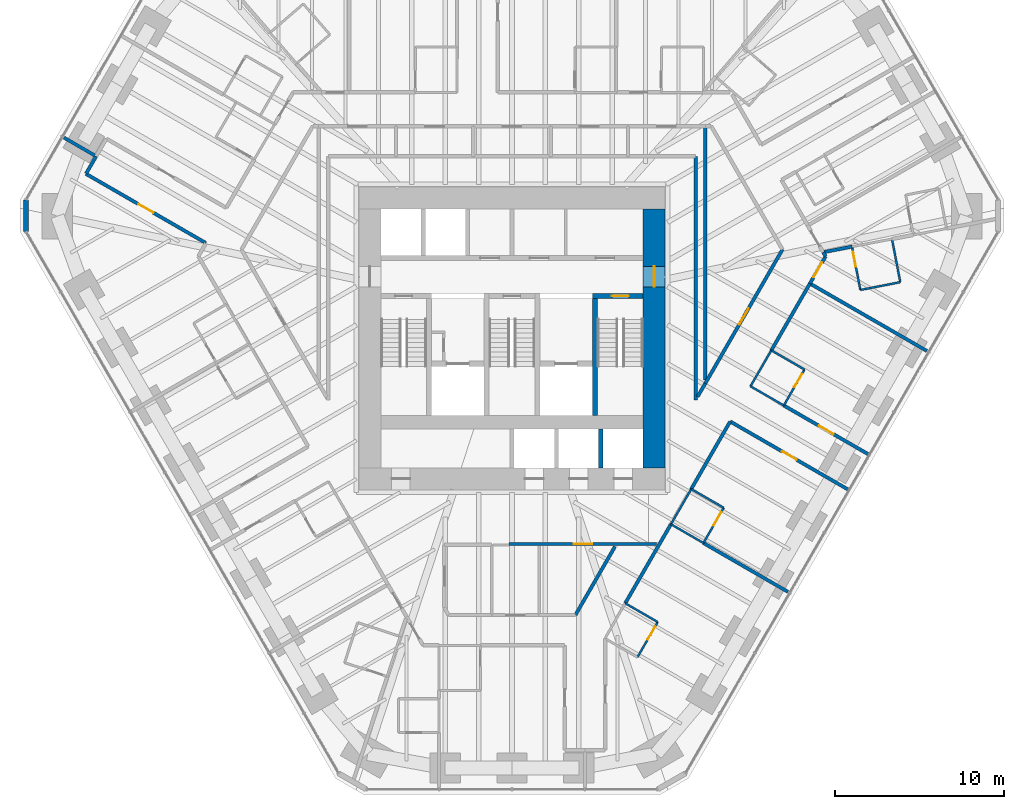
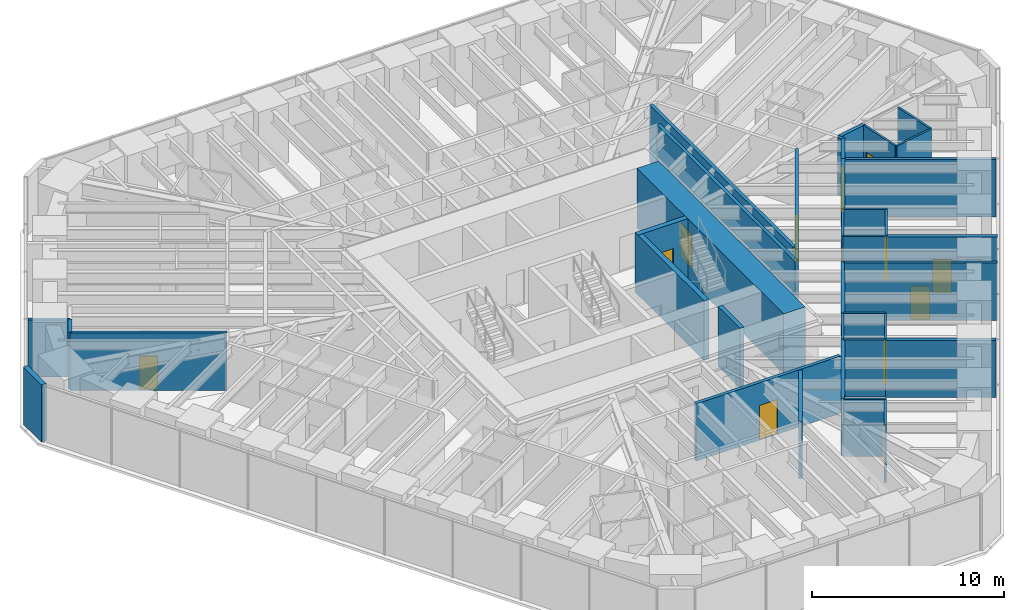
# One storey, part 13 of 17: 37 walls, 12 doors, 12 openings.
"""IFC4 building model written with IfcOpenShell, lengths in metres."""

from ifc_helpers import new_model, si_unit, direction, frame, frame_2d, origin, place, context, subcontext, project, spatial, rectangle, extrude, material, layer, layer_set, type_object, element, fill, save


model = new_model("IFC4")

# Units and contexts
model_context = context("Model", 3, precision=1e-05, world=origin(), true_north=direction((0.0, 1.0)))
body_context = subcontext(model_context, "Body", "Model", "MODEL_VIEW")
ifc_project = project(units=[si_unit("LENGTHUNIT", "METRE"), si_unit("AREAUNIT", "SQUARE_METRE"), si_unit("VOLUMEUNIT", "CUBIC_METRE"), si_unit("PLANEANGLEUNIT", "RADIAN"), si_unit("MASSUNIT", "GRAM", prefix="KILO")], contexts=[model_context])

# Site, building, storey
site_placement = place(None, origin())
site = spatial("IfcSite", under=ifc_project, at=site_placement, CompositionType="ELEMENT")
building_placement = place(site_placement, origin())
building = spatial("IfcBuilding", under=site, at=building_placement, Name="Sandreach Pilgrim Tower", CompositionType="ELEMENT")
storey_placement = place(building_placement, frame((0.0, 0.0, 127.199951171875)))
storey = spatial("IfcBuildingStorey", under=building, at=storey_placement, Name="L31", CompositionType="ELEMENT", Elevation=127.199951171875)

# Wall, opening, door
ifc_material_1 = material(Name="Moisture-resistant gypsum board on steel studs", Category="steel")
ifc_layer_1 = layer(ifc_material_1, 0.1201171875)
ifc_layer_set_1 = layer_set([ifc_layer_1], Name="Bathroom partition 120")
wall_type_1 = type_object("IfcWallType", Name="Bathroom partition 120", PredefinedType="PARTITIONING", material=ifc_layer_set_1)
wall_1_placement = place(storey_placement, frame((7.409912109375, -20.389892578125, 0.0), z_axis=(0.0, 0.0, 1.0), x_axis=(0.499737123639, 0.866177122335, 0.0)))
wall_1 = element("IfcWall", 1, at=wall_1_placement, inside=storey, type_object=wall_type_1, Name="Bathroom partition L31-116", PredefinedType="PARTITIONING", context=body_context, shape_type="SweptSolid", body=[
    extrude(rectangle(XDim=2.401123046875, YDim=0.1201171875, at=frame_2d((1.20068359375, 0.0))), origin(), (0.0, 0.0, 1.0), 3.64013671875),
])
opening_1_placement = place(wall_1_placement, frame((1.201416015625, 0.0, 0.0)))
opening_1 = element("IfcOpeningElement", 2, at=opening_1_placement, cuts=wall_1, Name="Opening D09-11B", PredefinedType="OPENING", context=body_context, shape_type="SweptSolid", body=[
    extrude(rectangle(XDim=0.89990234375, YDim=2.030029296875, at=frame_2d((0.449951171875, 1.01513671875))), frame((0.0, 0.06005859375, 0.0), z_axis=(0.0, -1.0, 0.0), x_axis=(1.0, 0.0, 0.0)), (0.0, 0.0, 1.0), 0.1201171875),
])
ifc_material_2 = material(Name="Timber door, steel frame", Category="steel")
door_type_1 = type_object("IfcDoorType", Name="Bathroom door", OperationType="SINGLE_SWING_LEFT", PredefinedType="DOOR", material=ifc_material_2)
door_1_placement = place(opening_1_placement, origin())
door_1 = element("IfcDoor", 3, at=door_1_placement, inside=storey, type_object=door_type_1, Name="Door 3111B", OperationType="SINGLE_SWING_RIGHT", OverallHeight=2.030029296875, OverallWidth=0.89990234375, PredefinedType="DOOR", context=body_context, shape_type="SweptSolid", body=[
    extrude(rectangle(XDim=0.89990234375, YDim=2.030029296875, at=frame_2d((0.449951171875, 1.01513671875))), frame((0.0, 0.02490234375, 0.0), z_axis=(0.0, -1.0, 0.0), x_axis=(1.0, 0.0, 0.0)), (0.0, 0.0, 1.0), 0.050048828125),
])
fill(opening_1, door_1)

# Walls
wall_2_placement = place(storey_placement, frame((8.610107421875, -18.31005859375, 0.0), z_axis=(0.0, 0.0, 1.0), x_axis=(-0.865732595383, 0.500506816428, 0.0)))
element("IfcWall", 4, at=wall_2_placement, inside=storey, type_object=wall_type_1, Name="Bathroom partition L31-118", PredefinedType="PARTITIONING", context=body_context, shape_type="SweptSolid", body=[
    extrude(rectangle(XDim=2.218017578125, YDim=0.1201171875, at=frame_2d((1.10888671875, 0.0))), origin(), (0.0, 0.0, 1.0), 3.64013671875),
])
wall_3_placement = place(storey_placement, frame((9.389892578125, -12.530029296875, 0.0), z_axis=(0.0, 0.0, 1.0), x_axis=(0.499769390944, 0.866158505053, 0.0)))
element("IfcWall", 5, at=wall_3_placement, inside=storey, type_object=wall_type_1, Name="Bathroom partition L31-121", PredefinedType="PARTITIONING", context=body_context, shape_type="SweptSolid", body=[
    extrude(rectangle(XDim=2.401611328125, YDim=0.1201171875, at=frame_2d((1.20068359375, 0.0))), origin(), (0.0, 0.0, 1.0), 3.64013671875),
])
wall_4_placement = place(storey_placement, frame((9.389892578125, -12.530029296875, 0.0), z_axis=(0.0, 0.0, 1.0), x_axis=(0.865732595383, -0.500506816428, 0.0)))
element("IfcWall", 6, at=wall_4_placement, inside=storey, type_object=wall_type_1, Name="Bathroom partition L31-122", PredefinedType="PARTITIONING", context=body_context, shape_type="SweptSolid", body=[
    extrude(rectangle(XDim=2.218017578125, YDim=0.1201171875, at=frame_2d((1.10888671875, 0.0))), origin(), (0.0, 0.0, 1.0), 3.64013671875),
])

# Wall, opening, door
wall_5_placement = place(storey_placement, frame((11.31005859375, -13.639892578125, 0.0), z_axis=(0.0, 0.0, 1.0), x_axis=(0.499737123639, 0.866177122335, 0.0)))
wall_5 = element("IfcWall", 7, at=wall_5_placement, inside=storey, type_object=wall_type_1, Name="Bathroom partition L31-127", PredefinedType="PARTITIONING", context=body_context, shape_type="SweptSolid", body=[
    extrude(rectangle(XDim=2.401123046875, YDim=0.1201171875, at=frame_2d((1.20068359375, 0.0))), origin(), (0.0, 0.0, 1.0), 3.64013671875),
])
opening_2_placement = place(wall_5_placement, frame((1.201416015625, 0.0, 0.0)))
opening_2 = element("IfcOpeningElement", 8, at=opening_2_placement, cuts=wall_5, Name="Opening D09-10B", PredefinedType="OPENING", context=body_context, shape_type="SweptSolid", body=[
    extrude(rectangle(XDim=0.89990234375, YDim=2.030029296875, at=frame_2d((0.449951171875, 1.01513671875))), frame((0.0, 0.06005859375, 0.0), z_axis=(0.0, -1.0, 0.0), x_axis=(1.0, 0.0, 0.0)), (0.0, 0.0, 1.0), 0.1201171875),
])
door_2_placement = place(opening_2_placement, origin())
door_2 = element("IfcDoor", 9, at=door_2_placement, inside=storey, type_object=door_type_1, Name="Door 3110B", OperationType="SINGLE_SWING_RIGHT", OverallHeight=2.030029296875, OverallWidth=0.89990234375, PredefinedType="DOOR", context=body_context, shape_type="SweptSolid", body=[
    extrude(rectangle(XDim=0.89990234375, YDim=2.030029296875, at=frame_2d((0.449951171875, 1.01513671875))), frame((0.0, 0.02490234375, 0.0), z_axis=(0.0, -1.0, 0.0), x_axis=(1.0, 0.0, 0.0)), (0.0, 0.0, 1.0), 0.050048828125),
])
fill(opening_2, door_2)

# Walls
wall_6_placement = place(storey_placement, frame((12.510009765625, -11.56005859375, 0.0), z_axis=(0.0, 0.0, 1.0), x_axis=(-0.865705017107, 0.500554515868, 0.0)))
element("IfcWall", 10, at=wall_6_placement, inside=storey, type_object=wall_type_1, Name="Bathroom partition L31-139", PredefinedType="PARTITIONING", context=body_context, shape_type="SweptSolid", body=[
    extrude(rectangle(XDim=2.2177734375, YDim=0.1201171875, at=frame_2d((1.10888671875, 0.0))), origin(), (0.0, 0.0, 1.0), 3.64013671875),
])
wall_7_placement = place(storey_placement, frame((14.090087890625, -4.3798828125, 0.0), z_axis=(0.0, 0.0, 1.0), x_axis=(0.501856726365, 0.86495076519, 0.0)))
element("IfcWall", 11, at=wall_7_placement, inside=storey, type_object=wall_type_1, Name="Bathroom partition L31-145", PredefinedType="PARTITIONING", context=body_context, shape_type="SweptSolid", body=[
    extrude(rectangle(XDim=2.450927734375, YDim=0.1201171875, at=frame_2d((1.2255859375, 0.0))), origin(), (0.0, 0.0, 1.0), 3.64013671875),
])
wall_8_placement = place(storey_placement, frame((14.090087890625, -4.3798828125, 0.0), z_axis=(0.0, 0.0, 1.0), x_axis=(0.866151579213, -0.499781394038, 0.0)))
element("IfcWall", 12, at=wall_8_placement, inside=storey, type_object=wall_type_1, Name="Bathroom partition L31-146", PredefinedType="PARTITIONING", context=body_context, shape_type="SweptSolid", body=[
    extrude(rectangle(XDim=2.27099609375, YDim=0.1201171875, at=frame_2d((1.135498046875, 0.0))), origin(), (0.0, 0.0, 1.0), 3.64013671875),
])

# Wall, opening, door
wall_9_placement = place(storey_placement, frame((16.06005859375, -5.510009765625, 0.0), z_axis=(0.0, 0.0, 1.0), x_axis=(0.498748634132, 0.866746675766, 0.0)))
wall_9 = element("IfcWall", 13, at=wall_9_placement, inside=storey, type_object=wall_type_1, Name="Bathroom partition L31-153", PredefinedType="PARTITIONING", context=body_context, shape_type="SweptSolid", body=[
    extrude(rectangle(XDim=2.446044921875, YDim=0.1201171875, at=frame_2d((1.22314453125, 0.0))), origin(), (0.0, 0.0, 1.0), 3.64013671875),
])
opening_3_placement = place(wall_9_placement, frame((1.24609375, 0.0, 0.0)))
opening_3 = element("IfcOpeningElement", 14, at=opening_3_placement, cuts=wall_9, Name="Opening D09-09B", PredefinedType="OPENING", context=body_context, shape_type="SweptSolid", body=[
    extrude(rectangle(XDim=0.89990234375, YDim=2.030029296875, at=frame_2d((0.449951171875, 1.01513671875))), frame((0.0, 0.06005859375, 0.0), z_axis=(0.0, -1.0, 0.0), x_axis=(1.0, 0.0, 0.0)), (0.0, 0.0, 1.0), 0.1201171875),
])
door_3_placement = place(opening_3_placement, origin())
door_3 = element("IfcDoor", 15, at=door_3_placement, inside=storey, type_object=door_type_1, Name="Door 3109B", OperationType="SINGLE_SWING_RIGHT", OverallHeight=2.030029296875, OverallWidth=0.89990234375, PredefinedType="DOOR", context=body_context, shape_type="SweptSolid", body=[
    extrude(rectangle(XDim=0.89990234375, YDim=2.030029296875, at=frame_2d((0.449951171875, 1.01513671875))), frame((0.0, 0.02490234375, 0.0), z_axis=(0.0, -1.0, 0.0), x_axis=(1.0, 0.0, 0.0)), (0.0, 0.0, 1.0), 0.050048828125),
])
fill(opening_3, door_3)

# Wall
wall_10_placement = place(storey_placement, frame((17.280029296875, -3.389892578125, 0.0), z_axis=(0.0, 0.0, 1.0), x_axis=(-0.86635082644, 0.49943592735, 0.0)))
element("IfcWall", 16, at=wall_10_placement, inside=storey, type_object=wall_type_1, Name="Bathroom partition L31-156", PredefinedType="PARTITIONING", context=body_context, shape_type="SweptSolid", body=[
    extrude(rectangle(XDim=2.26220703125, YDim=0.1201171875, at=frame_2d((1.131103515625, 0.0))), origin(), (0.0, 0.0, 1.0), 3.64013671875),
])

# Wall, opening, door
wall_11_placement = place(storey_placement, frame((20.090087890625, 3.8701171875, 0.0), z_axis=(0.0, 0.0, 1.0), x_axis=(0.187985762814, -0.982171753299, 0.0)))
wall_11 = element("IfcWall", 17, at=wall_11_placement, inside=storey, type_object=wall_type_1, Name="Bathroom partition L31-164", PredefinedType="PARTITIONING", context=body_context, shape_type="SweptSolid", body=[
    extrude(rectangle(XDim=2.6064453125, YDim=0.1201171875, at=frame_2d((1.30322265625, 0.0))), origin(), (0.0, 0.0, 1.0), 3.64013671875),
])
opening_4_placement = place(wall_11_placement, frame((0.300048828125, 0.0, 0.0)))
opening_4 = element("IfcOpeningElement", 18, at=opening_4_placement, cuts=wall_11, Name="Opening D09-08B", PredefinedType="OPENING", context=body_context, shape_type="SweptSolid", body=[
    extrude(rectangle(XDim=0.89990234375, YDim=2.030029296875, at=frame_2d((0.449951171875, 1.01513671875))), frame((0.0, 0.06005859375, 0.0), z_axis=(0.0, -1.0, 0.0), x_axis=(1.0, 0.0, 0.0)), (0.0, 0.0, 1.0), 0.1201171875),
])
door_4_placement = place(opening_4_placement, origin())
door_4 = element("IfcDoor", 19, at=door_4_placement, inside=storey, type_object=door_type_1, Name="Door 3108B", OperationType="SINGLE_SWING_LEFT", OverallHeight=2.030029296875, OverallWidth=0.89990234375, PredefinedType="DOOR", context=body_context, shape_type="SweptSolid", body=[
    extrude(rectangle(XDim=0.89990234375, YDim=2.030029296875, at=frame_2d((0.449951171875, 1.01513671875))), frame((0.0, 0.02490234375, 0.0), z_axis=(0.0, -1.0, 0.0), x_axis=(1.0, 0.0, 0.0)), (0.0, 0.0, 1.0), 0.050048828125),
])
fill(opening_4, door_4)

# Walls
wall_12_placement = place(storey_placement, frame((20.580078125, 1.31005859375, 0.0), z_axis=(0.0, 0.0, 1.0), x_axis=(0.981529676402, 0.191309943135, 0.0)))
element("IfcWall", 20, at=wall_12_placement, inside=storey, type_object=wall_type_1, Name="Bathroom partition L31-166", PredefinedType="PARTITIONING", context=body_context, shape_type="SweptSolid", body=[
    extrude(rectangle(XDim=2.404296875, YDim=0.1201171875, at=frame_2d((1.2021484375, 0.0))), origin(), (0.0, 0.0, 1.0), 3.64013671875),
])
wall_13_placement = place(storey_placement, frame((22.93994140625, 1.77001953125, 0.0), z_axis=(0.0, 0.0, 1.0), x_axis=(-0.188697442844, 0.982035271802, 0.0)))
element("IfcWall", 21, at=wall_13_placement, inside=storey, type_object=wall_type_1, Name="Bathroom partition L31-168", PredefinedType="PARTITIONING", context=body_context, shape_type="SweptSolid", body=[
    extrude(rectangle(XDim=2.5966796875, YDim=0.1201171875, at=frame_2d((1.29833984375, 0.0))), origin(), (0.0, 0.0, 1.0), 3.64013671875),
])
ifc_material_3 = material(Name="Concrete 10000 psi", Category="concrete")
ifc_layer_2 = layer(ifc_material_3, 0.300048828125)
ifc_layer_set_2 = layer_set([ifc_layer_2], Name="Core inner wall 300")
wall_type_2 = type_object("IfcWallType", Name="Core inner wall 300", PredefinedType="SHEAR", material=ifc_layer_set_2)
wall_14_placement = place(storey_placement, frame((4.89990234375, -6.10009765625, 0.0), z_axis=(0.0, 0.0, 1.0), x_axis=(0.0, 1.0, 0.0)))
element("IfcWall", 22, at=wall_14_placement, inside=storey, type_object=wall_type_2, Name="Core wall I3 L31", PredefinedType="SHEAR", context=body_context, shape_type="SweptSolid", body=[
    extrude(rectangle(XDim=7.2001953125, YDim=0.300048828125, at=frame_2d((3.60009765625, 0.0))), origin(), (0.0, 0.0, 1.0), 3.800048828125),
])

# Wall, opening, door
wall_15_placement = place(storey_placement, frame((4.75, 0.949951171875, 0.0), z_axis=(0.0, 0.0, 1.0), x_axis=(1.0, 0.0, 0.0)))
wall_15 = element("IfcWall", 23, at=wall_15_placement, inside=storey, type_object=wall_type_2, Name="Core wall SN2 L31", PredefinedType="SHEAR", context=body_context, shape_type="SweptSolid", body=[
    extrude(rectangle(XDim=3.0, YDim=0.300048828125, at=frame_2d((1.5, 0.0))), origin(), (0.0, 0.0, 1.0), 3.800048828125),
])
opening_5_placement = place(wall_15_placement, frame((1.14990234375, 0.0, 0.0)))
opening_5 = element("IfcOpeningElement", 24, at=opening_5_placement, cuts=wall_15, Name="Opening D10S-ST2", PredefinedType="OPENING", context=body_context, shape_type="SweptSolid", body=[
    extrude(rectangle(XDim=1.0, YDim=2.199951171875, at=frame_2d((0.5, 1.10009765625))), frame((0.0, 0.14990234375, 0.0), z_axis=(0.0, -1.0, 0.0), x_axis=(1.0, 0.0, 0.0)), (0.0, 0.0, 1.0), 0.300048828125),
])
ifc_material_4 = material(Name="Steel door and frame", Category="steel")
door_type_2 = type_object("IfcDoorType", Name="Stair door", OperationType="SINGLE_SWING_LEFT", PredefinedType="DOOR", material=ifc_material_4)
door_5_placement = place(opening_5_placement, origin())
door_5 = element("IfcDoor", 25, at=door_5_placement, inside=storey, type_object=door_type_2, Name="Stair door ST2 L31", OperationType="SINGLE_SWING_RIGHT", OverallHeight=2.199951171875, OverallWidth=1.0, PredefinedType="DOOR", context=body_context, shape_type="SweptSolid", body=[
    extrude(rectangle(XDim=1.0, YDim=2.199951171875, at=frame_2d((0.5, 1.10009765625))), frame((0.0, 0.02490234375, 0.0), z_axis=(0.0, -1.0, 0.0), x_axis=(1.0, 0.0, 0.0)), (0.0, 0.0, 1.0), 0.050048828125),
])
fill(opening_5, door_5)

ifc_material_5 = material(Name="Concrete 10000 psi", Category="concrete")
ifc_layer_3 = layer(ifc_material_5, 1.300048828125)
ifc_layer_set_3 = layer_set([ifc_layer_3], Name="Core wall 1300")
wall_type_3 = type_object("IfcWallType", Name="Core wall 1300", PredefinedType="SHEAR", material=ifc_layer_set_3)
wall_16_placement = place(storey_placement, frame((8.39990234375, -9.199951171875, 0.0), z_axis=(0.0, 0.0, 1.0), x_axis=(0.0, 1.0, 0.0)))
wall_16 = element("IfcWall", 26, at=wall_16_placement, inside=storey, type_object=wall_type_3, Name="Core wall E L31", PredefinedType="SHEAR", context=body_context, shape_type="SweptSolid", body=[
    extrude(rectangle(XDim=15.300048828125, YDim=1.300048828125, at=frame_2d((7.64990234375, 0.0))), origin(), (0.0, 0.0, 1.0), 3.800048828125),
])
opening_6_placement = place(wall_16_placement, frame((10.699951171875, 0.0, 0.0)))
opening_6 = element("IfcOpeningElement", 27, at=opening_6_placement, cuts=wall_16, Name="Opening D12F-E", PredefinedType="OPENING", context=body_context, shape_type="SweptSolid", body=[
    extrude(rectangle(XDim=1.199951171875, YDim=2.199951171875, at=frame_2d((0.60009765625, 1.10009765625))), frame((0.0, 0.64990234375, 0.0), z_axis=(0.0, -1.0, 0.0), x_axis=(1.0, 0.0, 0.0)), (0.0, 0.0, 1.0), 1.300048828125),
])
ifc_material_6 = material(Name="Steel door and frame", Category="steel")
door_type_3 = type_object("IfcDoorType", Name="Fire lobby door", OperationType="SINGLE_SWING_LEFT", PredefinedType="DOOR", material=ifc_material_6)
door_6_placement = place(opening_6_placement, origin())
door_6 = element("IfcDoor", 28, at=door_6_placement, inside=storey, type_object=door_type_3, Name="Fire service lobby door E L31", OperationType="SINGLE_SWING_RIGHT", OverallHeight=2.199951171875, OverallWidth=1.199951171875, PredefinedType="DOOR", context=body_context, shape_type="SweptSolid", body=[
    extrude(rectangle(XDim=1.199951171875, YDim=2.199951171875, at=frame_2d((0.60009765625, 1.10009765625))), frame((0.0, 0.02490234375, 0.0), z_axis=(0.0, -1.0, 0.0), x_axis=(1.0, 0.0, 0.0)), (0.0, 0.0, 1.0), 0.050048828125),
])
fill(opening_6, door_6)

ifc_material_7 = material(Name="Gypsum board on steel studs, two layers each side", Category="steel")
ifc_layer_4 = layer(ifc_material_7, 0.199951171875)
ifc_layer_set_4 = layer_set([ifc_layer_4], Name="Corridor wall 200")
wall_type_4 = type_object("IfcWallType", Name="Corridor wall 200", PredefinedType="PARTITIONING", material=ifc_layer_set_4)
wall_17_placement = place(storey_placement, frame((-25.169921875, 8.169921875, 0.0), z_axis=(0.0, 0.0, 1.0), x_axis=(0.866209421097, -0.499681137129, 0.0)))
wall_17 = element("IfcWall", 29, at=wall_17_placement, inside=storey, type_object=wall_type_4, Name="Corridor wall L31-002", PredefinedType="PARTITIONING", context=body_context, shape_type="SweptSolid", body=[
    extrude(rectangle(XDim=8.184814453125, YDim=0.199951171875, at=frame_2d((4.09228515625, 0.0))), origin(), (0.0, 0.0, 1.0), 3.64013671875),
])
opening_7_placement = place(wall_17_placement, frame((3.592529296875, 0.0, 0.0)))
opening_7 = element("IfcOpeningElement", 30, at=opening_7_placement, cuts=wall_17, Name="Opening D10-17", PredefinedType="OPENING", context=body_context, shape_type="SweptSolid", body=[
    extrude(rectangle(XDim=1.0, YDim=2.1298828125, at=frame_2d((0.5, 1.06494140625))), frame((0.0, 0.10009765625, 0.0), z_axis=(0.0, -1.0, 0.0), x_axis=(1.0, 0.0, 0.0)), (0.0, 0.0, 1.0), 0.199951171875),
])
ifc_material_8 = material(Name="Steel door and frame", Category="steel")
door_type_4 = type_object("IfcDoorType", Name="Guest room entry door", OperationType="SINGLE_SWING_LEFT", PredefinedType="DOOR", material=ifc_material_8)
door_7_placement = place(opening_7_placement, origin())
door_7 = element("IfcDoor", 31, at=door_7_placement, inside=storey, type_object=door_type_4, Name="Door 3117", OperationType="SINGLE_SWING_LEFT", OverallHeight=2.1298828125, OverallWidth=1.0, PredefinedType="DOOR", context=body_context, shape_type="SweptSolid", body=[
    extrude(rectangle(XDim=1.0, YDim=2.1298828125, at=frame_2d((0.5, 1.06494140625))), frame((0.0, 0.02490234375, 0.0), z_axis=(0.0, -1.0, 0.0), x_axis=(1.0, 0.0, 0.0)), (0.0, 0.0, 1.0), 0.050048828125),
])
fill(opening_7, door_7)

# Walls
wall_18_placement = place(storey_placement, frame((-25.16259765625, 8.18310546875, 0.0), z_axis=(0.0, 0.0, 1.0), x_axis=(0.499793761865, 0.866144442689, 0.0)))
element("IfcWall", 32, at=wall_18_placement, inside=storey, type_object=wall_type_4, Name="Corridor wall L31-003", PredefinedType="PARTITIONING", context=body_context, shape_type="SweptSolid", body=[
    extrude(rectangle(XDim=1.185546875, YDim=0.199951171875, at=frame_2d((0.5927734375, 0.0))), origin(), (0.0, 0.0, 1.0), 3.64013671875),
])
wall_19_placement = place(storey_placement, frame((6.08251953125, -13.849609375, 0.0), z_axis=(0.0, 0.0, 1.0), x_axis=(-0.499977643516, -0.866038310922, 0.0)))
element("IfcWall", 33, at=wall_19_placement, inside=storey, type_object=wall_type_4, Name="Corridor wall L31-107", PredefinedType="PARTITIONING", context=body_context, shape_type="SweptSolid", body=[
    extrude(rectangle(XDim=4.665283203125, YDim=0.199951171875, at=frame_2d((2.33251953125, 0.0))), origin(), (0.0, 0.0, 1.0), 3.64013671875),
])
wall_20_placement = place(storey_placement, frame((6.68994140625, -17.199951171875, 0.0), z_axis=(0.0, 0.0, 1.0), x_axis=(0.500524150216, 0.865722573952, 0.0)))
element("IfcWall", 34, at=wall_20_placement, inside=storey, type_object=wall_type_4, Name="Corridor wall L31-112", PredefinedType="PARTITIONING", context=body_context, shape_type="SweptSolid", body=[
    extrude(rectangle(XDim=5.394287109375, YDim=0.199951171875, at=frame_2d((2.697265625, 0.0))), origin(), (0.0, 0.0, 1.0), 3.64013671875),
])

# Wall, opening, door
wall_21_placement = place(storey_placement, frame((8.5380859375, -13.699951171875, 0.0), z_axis=(0.0, 0.0, 1.0), x_axis=(-1.0, 0.0, 0.0)))
wall_21 = element("IfcWall", 35, at=wall_21_placement, inside=storey, type_object=wall_type_4, Name="Corridor wall L31-117", PredefinedType="PARTITIONING", context=body_context, shape_type="SweptSolid", body=[
    extrude(rectangle(XDim=8.7080078125, YDim=0.199951171875, at=frame_2d((4.35400390625, 0.0))), origin(), (0.0, 0.0, 1.0), 3.64013671875),
])
opening_8_placement = place(wall_21_placement, frame((3.80419921875, 0.0, 0.0)))
opening_8 = element("IfcOpeningElement", 36, at=opening_8_placement, cuts=wall_21, Name="Opening D11H-S4", PredefinedType="OPENING", context=body_context, shape_type="SweptSolid", body=[
    extrude(rectangle(XDim=1.10009765625, YDim=2.199951171875, at=frame_2d((0.550048828125, 1.10009765625))), frame((0.0, 0.10009765625, 0.0), z_axis=(0.0, -1.0, 0.0), x_axis=(1.0, 0.0, 0.0)), (0.0, 0.0, 1.0), 0.199951171875),
])
ifc_material_9 = material(Name="Steel door and frame", Category="steel")
door_type_5 = type_object("IfcDoorType", Name="Back of house door", OperationType="SINGLE_SWING_LEFT", PredefinedType="DOOR", material=ifc_material_9)
door_8_placement = place(opening_8_placement, origin())
door_8 = element("IfcDoor", 37, at=door_8_placement, inside=storey, type_object=door_type_5, Name="Door 31S4", OperationType="SINGLE_SWING_LEFT", OverallHeight=2.199951171875, OverallWidth=1.10009765625, PredefinedType="DOOR", context=body_context, shape_type="SweptSolid", body=[
    extrude(rectangle(XDim=1.10009765625, YDim=2.199951171875, at=frame_2d((0.550048828125, 1.10009765625))), frame((0.0, 0.02490234375, 0.0), z_axis=(0.0, -1.0, 0.0), x_axis=(1.0, 0.0, 0.0)), (0.0, 0.0, 1.0), 0.050048828125),
])
fill(opening_8, door_8)

# Walls
wall_22_placement = place(storey_placement, frame((10.590087890625, -10.449951171875, 0.0), z_axis=(0.0, 0.0, 1.0), x_axis=(0.499408130876, 0.866366850021, 0.0)))
element("IfcWall", 38, at=wall_22_placement, inside=storey, type_object=wall_type_4, Name="Corridor wall L31-123", PredefinedType="PARTITIONING", context=body_context, shape_type="SweptSolid", body=[
    extrude(rectangle(XDim=4.59521484375, YDim=0.199951171875, at=frame_2d((2.297607421875, 0.0))), origin(), (0.0, 0.0, 1.0), 3.64013671875),
])
wall_23_placement = place(storey_placement, frame((10.85009765625, -5.18994140625, 0.0), z_axis=(0.0, 0.0, 1.0), x_axis=(0.0, 1.0, 0.0)))
element("IfcWall", 39, at=wall_23_placement, inside=storey, type_object=wall_type_4, Name="Corridor wall L31-125", PredefinedType="PARTITIONING", context=body_context, shape_type="SweptSolid", body=[
    extrude(rectangle(XDim=14.389892578125, YDim=0.199951171875, at=frame_2d((7.19482421875, 0.0))), origin(), (0.0, 0.0, 1.0), 3.64013671875),
])
wall_24_placement = place(storey_placement, frame((11.419921875, -4.2099609375, 0.0), z_axis=(0.0, 0.0, 1.0), x_axis=(-0.502657614045, -0.8644855829, 0.0)))
element("IfcWall", 40, at=wall_24_placement, inside=storey, type_object=wall_type_4, Name="Corridor wall L31-132", PredefinedType="PARTITIONING", context=body_context, shape_type="SweptSolid", body=[
    extrude(rectangle(XDim=0.91357421875, YDim=0.199951171875, at=frame_2d((0.456787109375, 0.0))), origin(), (0.0, 0.0, 1.0), 3.64013671875),
])

# Wall, opening, door
wall_25_placement = place(storey_placement, frame((12.889892578125, -6.4599609375, 0.0), z_axis=(0.0, 0.0, 1.0), x_axis=(0.866181559118, -0.499729433437, 0.0)))
wall_25 = element("IfcWall", 41, at=wall_25_placement, inside=storey, type_object=wall_type_4, Name="Corridor wall L31-141", PredefinedType="PARTITIONING", context=body_context, shape_type="SweptSolid", body=[
    extrude(rectangle(XDim=8.07470703125, YDim=0.199951171875, at=frame_2d((4.037353515625, 0.0))), origin(), (0.0, 0.0, 1.0), 3.64013671875),
])
opening_9_placement = place(wall_25_placement, frame((3.537353515625, 0.0, 0.0)))
opening_9 = element("IfcOpeningElement", 42, at=opening_9_placement, cuts=wall_25, Name="Opening D10-10", PredefinedType="OPENING", context=body_context, shape_type="SweptSolid", body=[
    extrude(rectangle(XDim=1.0, YDim=2.1298828125, at=frame_2d((0.5, 1.06494140625))), frame((0.0, 0.10009765625, 0.0), z_axis=(0.0, -1.0, 0.0), x_axis=(1.0, 0.0, 0.0)), (0.0, 0.0, 1.0), 0.199951171875),
])
door_9_placement = place(opening_9_placement, origin())
door_9 = element("IfcDoor", 43, at=door_9_placement, inside=storey, type_object=door_type_4, Name="Door 3110", OperationType="SINGLE_SWING_LEFT", OverallHeight=2.1298828125, OverallWidth=1.0, PredefinedType="DOOR", context=body_context, shape_type="SweptSolid", body=[
    extrude(rectangle(XDim=1.0, YDim=2.1298828125, at=frame_2d((0.5, 1.06494140625))), frame((0.0, 0.02490234375, 0.0), z_axis=(0.0, -1.0, 0.0), x_axis=(1.0, 0.0, 0.0)), (0.0, 0.0, 1.0), 0.050048828125),
])
fill(opening_9, door_9)

# Wall
wall_26_placement = place(storey_placement, frame((15.320068359375, -2.260009765625, 0.0), z_axis=(0.0, 0.0, 1.0), x_axis=(0.499921709333, 0.866070600204, 0.0)))
element("IfcWall", 44, at=wall_26_placement, inside=storey, type_object=wall_type_4, Name="Corridor wall L31-147", PredefinedType="PARTITIONING", context=body_context, shape_type="SweptSolid", body=[
    extrude(rectangle(XDim=4.560791015625, YDim=0.199951171875, at=frame_2d((2.2802734375, 0.0))), origin(), (0.0, 0.0, 1.0), 3.64013671875),
])

# Wall, opening, door
wall_27_placement = place(storey_placement, frame((15.97998046875, 3.699951171875, 0.0), z_axis=(0.0, 0.0, 1.0), x_axis=(-0.499446957289, -0.866344467781, 0.0)))
wall_27 = element("IfcWall", 45, at=wall_27_placement, inside=storey, type_object=wall_type_4, Name="Corridor wall L31-151", PredefinedType="PARTITIONING", context=body_context, shape_type="SweptSolid", body=[
    extrude(rectangle(XDim=9.130126953125, YDim=0.199951171875, at=frame_2d((4.56494140625, 0.0))), origin(), (0.0, 0.0, 1.0), 3.64013671875),
])
opening_10_placement = place(wall_27_placement, frame((4.01513671875, 0.0, 0.0)))
opening_10 = element("IfcOpeningElement", 46, at=opening_10_placement, cuts=wall_27, Name="Opening D11H-M07", PredefinedType="OPENING", context=body_context, shape_type="SweptSolid", body=[
    extrude(rectangle(XDim=1.10009765625, YDim=2.199951171875, at=frame_2d((0.550048828125, 1.10009765625))), frame((0.0, 0.10009765625, 0.0), z_axis=(0.0, -1.0, 0.0), x_axis=(1.0, 0.0, 0.0)), (0.0, 0.0, 1.0), 0.199951171875),
])
door_10_placement = place(opening_10_placement, origin())
door_10 = element("IfcDoor", 47, at=door_10_placement, inside=storey, type_object=door_type_5, Name="Door 31M07", OperationType="SINGLE_SWING_LEFT", OverallHeight=2.199951171875, OverallWidth=1.10009765625, PredefinedType="DOOR", context=body_context, shape_type="SweptSolid", body=[
    extrude(rectangle(XDim=1.10009765625, YDim=2.199951171875, at=frame_2d((0.550048828125, 1.10009765625))), frame((0.0, 0.02490234375, 0.0), z_axis=(0.0, -1.0, 0.0), x_axis=(1.0, 0.0, 0.0)), (0.0, 0.0, 1.0), 0.050048828125),
])
fill(opening_10, door_10)

wall_28_placement = place(storey_placement, frame((16.05712890625, -5.514892578125, 0.0), z_axis=(0.0, 0.0, 1.0), x_axis=(0.866182784606, -0.499727309292, 0.0)))
wall_28 = element("IfcWall", 48, at=wall_28_placement, inside=storey, type_object=wall_type_4, Name="Corridor wall L31-152", PredefinedType="PARTITIONING", context=body_context, shape_type="SweptSolid", body=[
    extrude(rectangle(XDim=5.803466796875, YDim=0.199951171875, at=frame_2d((2.90185546875, 0.0))), origin(), (0.0, 0.0, 1.0), 3.64013671875),
])
opening_11_placement = place(wall_28_placement, frame((2.401611328125, 0.0, 0.0)))
opening_11 = element("IfcOpeningElement", 49, at=opening_11_placement, cuts=wall_28, Name="Opening D10-09", PredefinedType="OPENING", context=body_context, shape_type="SweptSolid", body=[
    extrude(rectangle(XDim=1.0, YDim=2.1298828125, at=frame_2d((0.5, 1.06494140625))), frame((0.0, 0.10009765625, 0.0), z_axis=(0.0, -1.0, 0.0), x_axis=(1.0, 0.0, 0.0)), (0.0, 0.0, 1.0), 0.199951171875),
])
door_11_placement = place(opening_11_placement, origin())
door_11 = element("IfcDoor", 50, at=door_11_placement, inside=storey, type_object=door_type_4, Name="Door 3109", OperationType="SINGLE_SWING_LEFT", OverallHeight=2.1298828125, OverallWidth=1.0, PredefinedType="DOOR", context=body_context, shape_type="SweptSolid", body=[
    extrude(rectangle(XDim=1.0, YDim=2.1298828125, at=frame_2d((0.5, 1.06494140625))), frame((0.0, 0.02490234375, 0.0), z_axis=(0.0, -1.0, 0.0), x_axis=(1.0, 0.0, 0.0)), (0.0, 0.0, 1.0), 0.050048828125),
])
fill(opening_11, door_11)

wall_29_placement = place(storey_placement, frame((17.60009765625, 1.68994140625, 0.0), z_axis=(0.0, 0.0, 1.0), x_axis=(0.50013539823, 0.865947217466, 0.0)))
wall_29 = element("IfcWall", 51, at=wall_29_placement, inside=storey, type_object=wall_type_4, Name="Corridor wall L31-158", PredefinedType="PARTITIONING", context=body_context, shape_type="SweptSolid", body=[
    extrude(rectangle(XDim=1.859375, YDim=0.199951171875, at=frame_2d((0.9296875, 0.0))), origin(), (0.0, 0.0, 1.0), 3.64013671875),
])
opening_12_placement = place(wall_29_placement, frame((0.4296875, 0.0, 0.0)))
opening_12 = element("IfcOpeningElement", 52, at=opening_12_placement, cuts=wall_29, Name="Opening D10-08", PredefinedType="OPENING", context=body_context, shape_type="SweptSolid", body=[
    extrude(rectangle(XDim=1.0, YDim=2.1298828125, at=frame_2d((0.5, 1.06494140625))), frame((0.0, 0.10009765625, 0.0), z_axis=(0.0, -1.0, 0.0), x_axis=(1.0, 0.0, 0.0)), (0.0, 0.0, 1.0), 0.199951171875),
])
door_12_placement = place(opening_12_placement, origin())
door_12 = element("IfcDoor", 53, at=door_12_placement, inside=storey, type_object=door_type_4, Name="Door 3108", OperationType="SINGLE_SWING_LEFT", OverallHeight=2.1298828125, OverallWidth=1.0, PredefinedType="DOOR", context=body_context, shape_type="SweptSolid", body=[
    extrude(rectangle(XDim=1.0, YDim=2.1298828125, at=frame_2d((0.5, 1.06494140625))), frame((0.0, 0.02490234375, 0.0), z_axis=(0.0, -1.0, 0.0), x_axis=(1.0, 0.0, 0.0)), (0.0, 0.0, 1.0), 0.050048828125),
])
fill(opening_12, door_12)

# Walls
wall_30_placement = place(storey_placement, frame((18.386962890625, 3.538330078125, 0.0), z_axis=(0.0, 0.0, 1.0), x_axis=(0.514754090884, -0.857337871506, 0.0)))
element("IfcWall", 54, at=wall_30_placement, inside=storey, type_object=wall_type_4, Name="Corridor wall L31-160", PredefinedType="PARTITIONING", context=body_context, shape_type="SweptSolid", body=[
    extrude(rectangle(XDim=0.27783203125, YDim=0.199951171875, at=frame_2d((0.138916015625, 0.0))), origin(), (0.0, 0.0, 1.0), 3.64013671875),
])
ifc_material_10 = material(Name="Double steel stud acoustic wall, gypsum board", Category="steel")
ifc_layer_5 = layer(ifc_material_10, 0.199951171875)
ifc_layer_set_5 = layer_set([ifc_layer_5], Name="Party wall 200")
wall_type_5 = type_object("IfcWallType", Name="Party wall 200", PredefinedType="PARTITIONING", material=ifc_layer_set_5)
wall_31_placement = place(storey_placement, frame((-26.46630859375, 10.309814453125, 0.0), z_axis=(0.0, 0.0, 1.0), x_axis=(0.865037029405, -0.501708020425, 0.0)))
element("IfcWall", 55, at=wall_31_placement, inside=storey, type_object=wall_type_5, Name="Party wall L31-001", PredefinedType="PARTITIONING", context=body_context, shape_type="SweptSolid", body=[
    extrude(rectangle(XDim=2.17724609375, YDim=0.199951171875, at=frame_2d((1.088623046875, 0.0))), origin(), (0.0, 0.0, 1.0), 3.64013671875),
])
wall_32_placement = place(storey_placement, frame((11.31005859375, -13.639892578125, 0.0), z_axis=(0.0, 0.0, 1.0), x_axis=(0.865919350456, -0.50018364478, 0.0)))
element("IfcWall", 56, at=wall_32_placement, inside=storey, type_object=wall_type_5, Name="Party wall L31-128", PredefinedType="PARTITIONING", context=body_context, shape_type="SweptSolid", body=[
    extrude(rectangle(XDim=5.758056640625, YDim=0.199951171875, at=frame_2d((2.87890625, 0.0))), origin(), (0.0, 0.0, 1.0), 3.64013671875),
])
wall_33_placement = place(storey_placement, frame((11.419921875, 10.97998046875, 0.0), z_axis=(0.0, 0.0, 1.0), x_axis=(0.0, -1.0, 0.0)))
element("IfcWall", 57, at=wall_33_placement, inside=storey, type_object=wall_type_5, Name="Party wall L31-133", PredefinedType="PARTITIONING", context=body_context, shape_type="SweptSolid", body=[
    extrude(rectangle(XDim=14.98486328125, YDim=0.199951171875, at=frame_2d((7.492431640625, 0.0))), origin(), (0.0, 0.0, 1.0), 3.64013671875),
])
wall_34_placement = place(storey_placement, frame((18.43408203125, 3.548583984375, 0.0), z_axis=(0.0, 0.0, 1.0), x_axis=(0.981694395029, 0.190462896043, 0.0)))
element("IfcWall", 58, at=wall_34_placement, inside=storey, type_object=wall_type_5, Name="Party wall L31-161", PredefinedType="PARTITIONING", context=body_context, shape_type="SweptSolid", body=[
    extrude(rectangle(XDim=1.686767578125, YDim=0.199951171875, at=frame_2d((0.84326171875, 0.0))), origin(), (0.0, 0.0, 1.0), 3.64013671875),
])
wall_35_placement = place(storey_placement, frame((24.506103515625, -2.2900390625, 0.0), z_axis=(0.0, 0.0, 1.0), x_axis=(-0.866422539587, 0.499311508876, 0.0)))
element("IfcWall", 59, at=wall_35_placement, inside=storey, type_object=wall_type_5, Name="Party wall L31-172", PredefinedType="PARTITIONING", context=body_context, shape_type="SweptSolid", body=[
    extrude(rectangle(XDim=7.955810546875, YDim=0.199951171875, at=frame_2d((3.97802734375, 0.0))), origin(), (0.0, 0.0, 1.0), 3.64013671875),
])
ifc_material_11 = material(Name="Gypsum shaft wall on steel studs, two layers of shaft liner board", Category="steel")
ifc_layer_6 = layer(ifc_material_11, 0.25)
ifc_layer_set_6 = layer_set([ifc_layer_6], Name="Shaft partition 250")
wall_type_6 = type_object("IfcWallType", Name="Shaft partition 250", PredefinedType="PARTITIONING", material=ifc_layer_set_6)
wall_36_placement = place(storey_placement, frame((5.25, -9.199951171875, 0.0), z_axis=(0.0, 0.0, 1.0), x_axis=(0.0, 1.0, 0.0)))
element("IfcWall", 60, at=wall_36_placement, inside=storey, type_object=wall_type_6, Name="Shaft partition XS4 L31", PredefinedType="PARTITIONING", context=body_context, shape_type="SweptSolid", body=[
    extrude(rectangle(XDim=2.300048828125, YDim=0.25, at=frame_2d((1.14990234375, 0.0))), origin(), (0.0, 0.0, 1.0), 3.800048828125),
])
ifc_material_12 = material(Name="Terracotta rainscreen on concrete", Category="masonry")
ifc_layer_7 = layer(ifc_material_12, 0.300048828125)
ifc_layer_set_7 = layer_set([ifc_layer_7], Name="Terracotta chamfer pier")
wall_type_7 = type_object("IfcWallType", Name="Terracotta chamfer pier", PredefinedType="SOLIDWALL", material=ifc_layer_set_7)
wall_37_placement = place(storey_placement, frame((-28.720947265625, 4.758544921875, 0.0), z_axis=(0.0, 0.0, 1.0), x_axis=(0.0, 1.0, 0.0)))
element("IfcWall", 61, at=wall_37_placement, inside=storey, type_object=wall_type_7, Name="Chamfer pier L31 SW", PredefinedType="SOLIDWALL", context=body_context, shape_type="SweptSolid", body=[
    extrude(rectangle(XDim=1.8798828125, YDim=0.300048828125, at=frame_2d((0.93994140625, 0.0))), origin(), (0.0, 0.0, 1.0), 3.64013671875),
])

save(model, "model.ifc")
